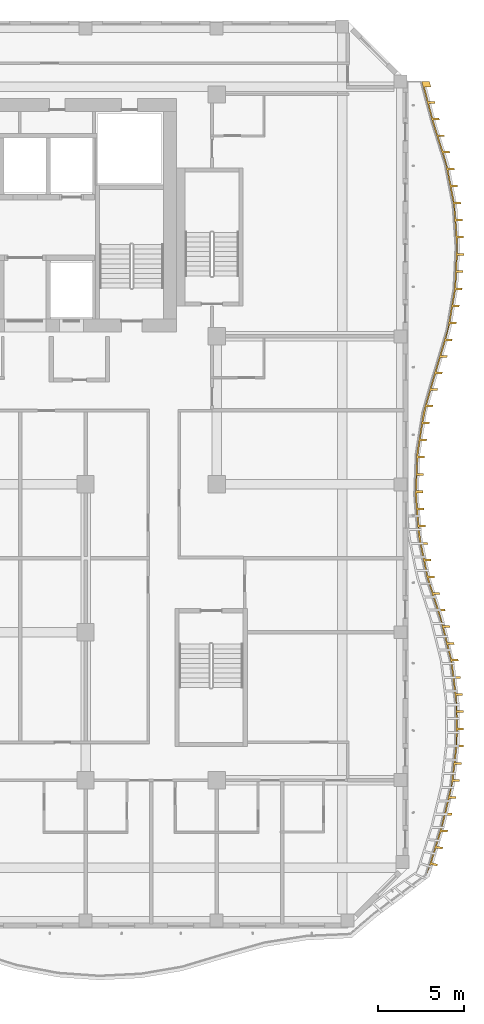
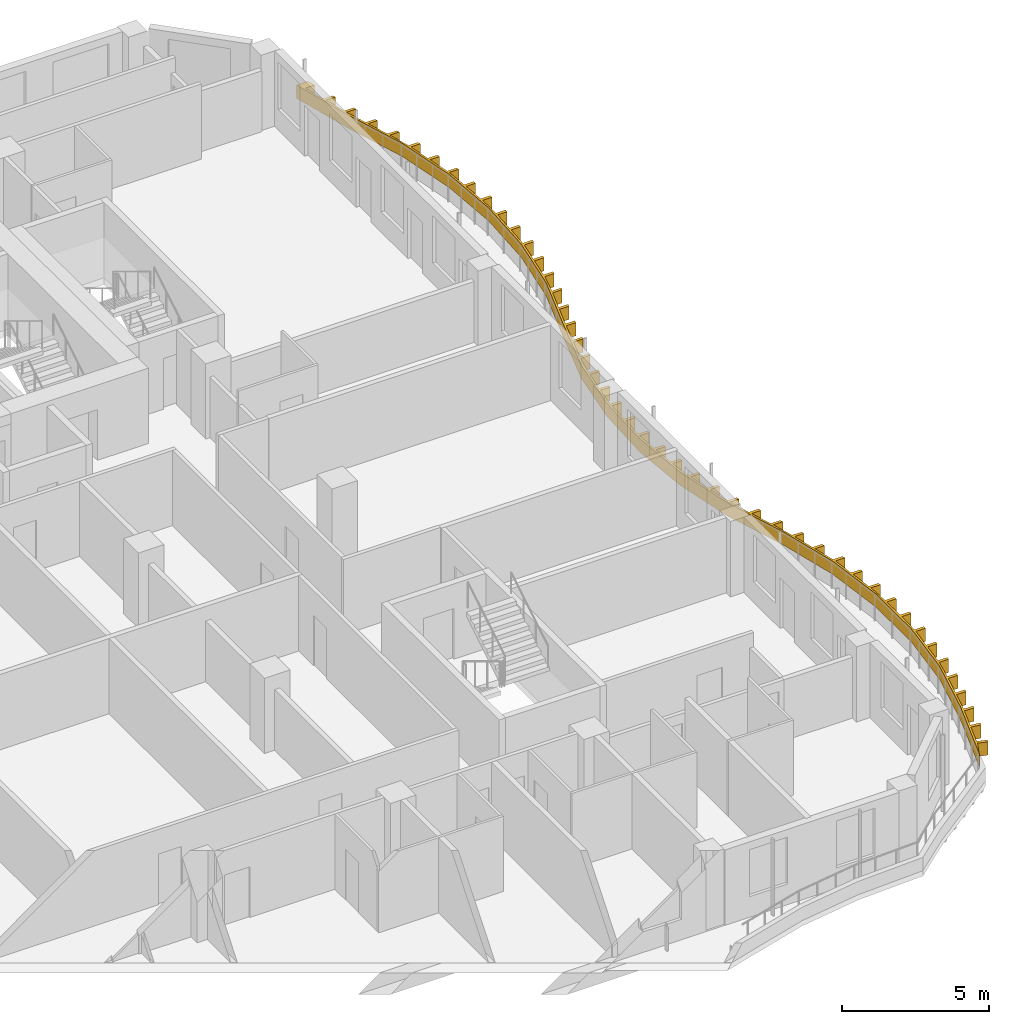
# One storey, part 18 of 21: 1 shading device.
"""IFC4 building model written with IfcOpenShell, lengths in metres."""

from ifc_helpers import new_model, si_unit, direction, frame, origin, place, context, subcontext, project, spatial, polyline, outline, extrude, source, transform, mapped, material, layer, layer_set, type_object, element, save


model = new_model("IFC4")

# Units and contexts
model_context = context("Model", 3, precision=1e-05, world=origin(), true_north=direction((0.0, 1.0)))
body_context = subcontext(model_context, "Body", "Model", "MODEL_VIEW")
ifc_project = project(units=[si_unit("LENGTHUNIT", "METRE"), si_unit("AREAUNIT", "SQUARE_METRE"), si_unit("VOLUMEUNIT", "CUBIC_METRE"), si_unit("PLANEANGLEUNIT", "RADIAN"), si_unit("MASSUNIT", "GRAM", prefix="KILO")], contexts=[model_context])

# Site, building, storey
site_placement = place(None, origin())
site = spatial("IfcSite", under=ifc_project, at=site_placement, CompositionType="ELEMENT")
building_placement = place(site_placement, origin())
building = spatial("IfcBuilding", under=site, at=building_placement, Name="Kilnfold Tower and Market Hall", CompositionType="ELEMENT")
storey_placement = place(building_placement, frame((0.0, 0.0, 216.89990234375)))
storey = spatial("IfcBuildingStorey", under=building, at=storey_placement, Name="L53", CompositionType="ELEMENT", Elevation=216.89990234375)

# Shading device
ifc_material = material(Name="Bronze anodised aluminium", Category="aluminium")
ifc_layer = layer(ifc_material, 0.550048828125)
ifc_layer_set = layer_set([ifc_layer], Name="Bronze anodised aluminium")
shading_device_type = type_object("IfcShadingDeviceType", Name="BRONZE SLAT FASCIA 550", PredefinedType="USERDEFINED", material=ifc_layer_set)
shared_shape = source(origin(), body_context, "Body", "SweptSolid", [
    extrude(outline(polyline([(32.9248046875, -22.670166015625), (32.57470703125, -22.560302734375), (32.3203125, -23.129150390625), (33.167724609375, -20.355224609375), (33.7431640625, -17.96044921875), (34.019287109375, -15.56591796875), (34.009033203125, -13.171142578125), (33.711669921875, -10.7763671875), (33.114013671875, -8.381591796875), (32.34228515625, -5.98681640625), (31.8515625, -3.592041015625), (31.655029296875, -1.197509765625), (31.743896484375, 1.197509765625), (32.122314453125, 3.592041015625), (32.8076171875, 5.98681640625), (33.523681640625, 8.381591796875), (33.931396484375, 10.7763671875), (34.048828125, 13.171142578125), (33.880859375, 15.56591796875), (33.420166015625, 17.96044921875), (32.66259765625, 20.355224609375), (32.03369140625, 22.75), (32.48388671875, 22.75), (32.56494140625, 22.441162109375), (32.19482421875, 22.441162109375), (32.41845703125, 21.590087890625), (32.788330078125, 21.590087890625), (32.81884765625, 21.47412109375), (32.448974609375, 21.47412109375), (32.67236328125, 20.622802734375), (33.04248046875, 20.622802734375), (33.072998046875, 20.5068359375), (32.702880859375, 20.5068359375), (32.960693359375, 19.66552734375), (33.330810546875, 19.66552734375), (33.366943359375, 19.55126953125), (32.9970703125, 19.55126953125), (33.262451171875, 18.712158203125), (33.63232421875, 18.712158203125), (33.668701171875, 18.59765625), (33.298583984375, 18.59765625), (33.5400390625, 17.752685546875), (33.91015625, 17.752685546875), (33.932861328125, 17.634765625), (33.562744140625, 17.634765625), (33.72900390625, 16.7705078125), (34.09912109375, 16.7705078125), (34.12158203125, 16.65283203125), (33.751708984375, 16.65283203125), (33.91796875, 15.788818359375), (34.2880859375, 15.788818359375), (34.310791015625, 15.6708984375), (33.940673828125, 15.6708984375), (34.014892578125, 14.794677734375), (34.385009765625, 14.794677734375), (34.393310546875, 14.6748046875), (34.0234375, 14.6748046875), (34.0849609375, 13.797119140625), (34.455078125, 13.797119140625), (34.46337890625, 13.677490234375), (34.093505859375, 13.677490234375), (34.110595703125, 12.799072265625), (34.480712890625, 12.799072265625), (34.474853515625, 12.67919921875), (34.104736328125, 12.67919921875), (34.061767578125, 11.80029296875), (34.431640625, 11.80029296875), (34.42578125, 11.680419921875), (34.055908203125, 11.680419921875), (34.0126953125, 10.801513671875), (34.3828125, 10.801513671875), (34.381591796875, 10.7763671875), (34.365478515625, 10.682861328125), (33.99560546875, 10.682861328125), (33.847900390625, 9.815185546875), (34.218017578125, 9.815185546875), (34.19775390625, 9.697021484375), (33.82763671875, 9.697021484375), (33.679931640625, 8.82958984375), (34.050048828125, 8.82958984375), (34.02978515625, 8.711181640625), (33.659912109375, 8.711181640625), (33.447509765625, 7.85888671875), (33.8173828125, 7.85888671875), (33.782958984375, 7.743896484375), (33.4130859375, 7.743896484375), (33.160888671875, 6.90087890625), (33.53076171875, 6.90087890625), (33.49658203125, 6.785888671875), (33.12646484375, 6.785888671875), (32.874755859375, 5.942626953125), (33.244873046875, 5.942626953125), (33.2119140625, 5.8271484375), (32.841796875, 5.8271484375), (32.599853515625, 4.981201171875), (32.9697265625, 4.981201171875), (32.936767578125, 4.86572265625), (32.56689453125, 4.86572265625), (32.32470703125, 4.019775390625), (32.694580078125, 4.019775390625), (32.66162109375, 3.904296875), (32.291748046875, 3.904296875), (32.11572265625, 3.043701171875), (32.485595703125, 3.043701171875), (32.467041015625, 2.925048828125), (32.096923828125, 2.925048828125), (31.959716796875, 2.055908203125), (32.32958984375, 2.055908203125), (32.310791015625, 1.9375), (31.94091796875, 1.9375), (31.819091796875, 1.066650390625), (32.189208984375, 1.066650390625), (32.184814453125, 0.94677734375), (31.814697265625, 0.94677734375), (31.781982421875, 0.0673828125), (32.152099609375, 0.0673828125), (32.1474609375, -0.052490234375), (31.777587890625, -0.052490234375), (31.744873046875, -0.931884765625), (32.114990234375, -0.931884765625), (32.1103515625, -1.052001953125), (31.740478515625, -1.052001953125), (31.795166015625, -1.92919921875), (32.1650390625, -1.92919921875), (32.1748046875, -2.048828125), (31.804931640625, -2.048828125), (31.876708984375, -2.926025390625), (32.246826171875, -2.926025390625), (32.256591796875, -3.045654296875), (31.88671875, -3.045654296875), (31.998046875, -3.9169921875), (32.3681640625, -3.9169921875), (32.39208984375, -4.034423828125), (32.022216796875, -4.034423828125), (32.19873046875, -4.896484375), (32.56884765625, -4.896484375), (32.593017578125, -5.01416015625), (32.222900390625, -5.01416015625), (32.399658203125, -5.876220703125), (32.76953125, -5.876220703125), (32.79443359375, -5.99365234375), (32.42431640625, -5.99365234375), (32.6943359375, -6.831298828125), (33.064208984375, -6.831298828125), (33.10107421875, -6.9453125), (32.731201171875, -6.9453125), (33.001220703125, -7.782958984375), (33.37109375, -7.782958984375), (33.407958984375, -7.897216796875), (33.037841796875, -7.897216796875), (33.283935546875, -8.74169921875), (33.65380859375, -8.74169921875), (33.682861328125, -8.858154296875), (33.31298828125, -8.858154296875), (33.52587890625, -9.7119140625), (33.89599609375, -9.7119140625), (33.925048828125, -9.828369140625), (33.55517578125, -9.828369140625), (33.768310546875, -10.68212890625), (34.13818359375, -10.68212890625), (34.16162109375, -10.7763671875), (34.16455078125, -10.799072265625), (33.79443359375, -10.799072265625), (33.903076171875, -11.67236328125), (34.27294921875, -11.67236328125), (34.287841796875, -11.79150390625), (33.917724609375, -11.79150390625), (34.026123046875, -12.664794921875), (34.396240234375, -12.664794921875), (34.410888671875, -12.78369140625), (34.041015625, -12.78369140625), (34.09130859375, -13.660888671875), (34.461181640625, -13.660888671875), (34.461669921875, -13.78076171875), (34.091796875, -13.78076171875), (34.095458984375, -14.660888671875), (34.465576171875, -14.660888671875), (34.466064453125, -14.78076171875), (34.095947265625, -14.78076171875), (34.08837890625, -15.66015625), (34.45849609375, -15.66015625), (34.44482421875, -15.779296875), (34.07470703125, -15.779296875), (33.973876953125, -16.653564453125), (34.343994140625, -16.653564453125), (34.330078125, -16.772705078125), (33.960205078125, -16.772705078125), (33.859375, -17.64697265625), (34.229248046875, -17.64697265625), (34.215576171875, -17.76611328125), (33.845458984375, -17.76611328125), (33.6630859375, -18.6259765625), (34.033203125, -18.6259765625), (34.005126953125, -18.74267578125), (33.63525390625, -18.74267578125), (33.4296875, -19.598388671875), (33.799560546875, -19.598388671875), (33.771484375, -19.715087890625), (33.401611328125, -19.715087890625), (33.18359375, -20.56396484375), (33.55224609375, -20.57421875), (33.5166015625, -20.69287109375), (33.14892578125, -20.677001953125), (32.895263671875, -21.505615234375), (33.256103515625, -21.562744140625), (33.220703125, -21.681396484375), (32.86083984375, -21.61865234375), (32.60888671875, -22.447509765625), (32.960205078125, -22.551513671875), (32.9248046875, -22.670166015625)])), origin(), (0.0, 0.0, 1.0), 0.550048828125),
])
shading_device_placement = place(storey_placement, frame((0.0, 0.0, 0.550048828125)))
element("IfcShadingDevice", 1, at=shading_device_placement, inside=storey, type_object=shading_device_type, Name="Balcony slat fascia L53", ObjectType="SLAT", PredefinedType="USERDEFINED", context=body_context, shape_type="MappedRepresentation", body=[
    mapped(shared_shape, transform((0.0, 0.0, 0.0))),
])

save(model, "model.ifc")
